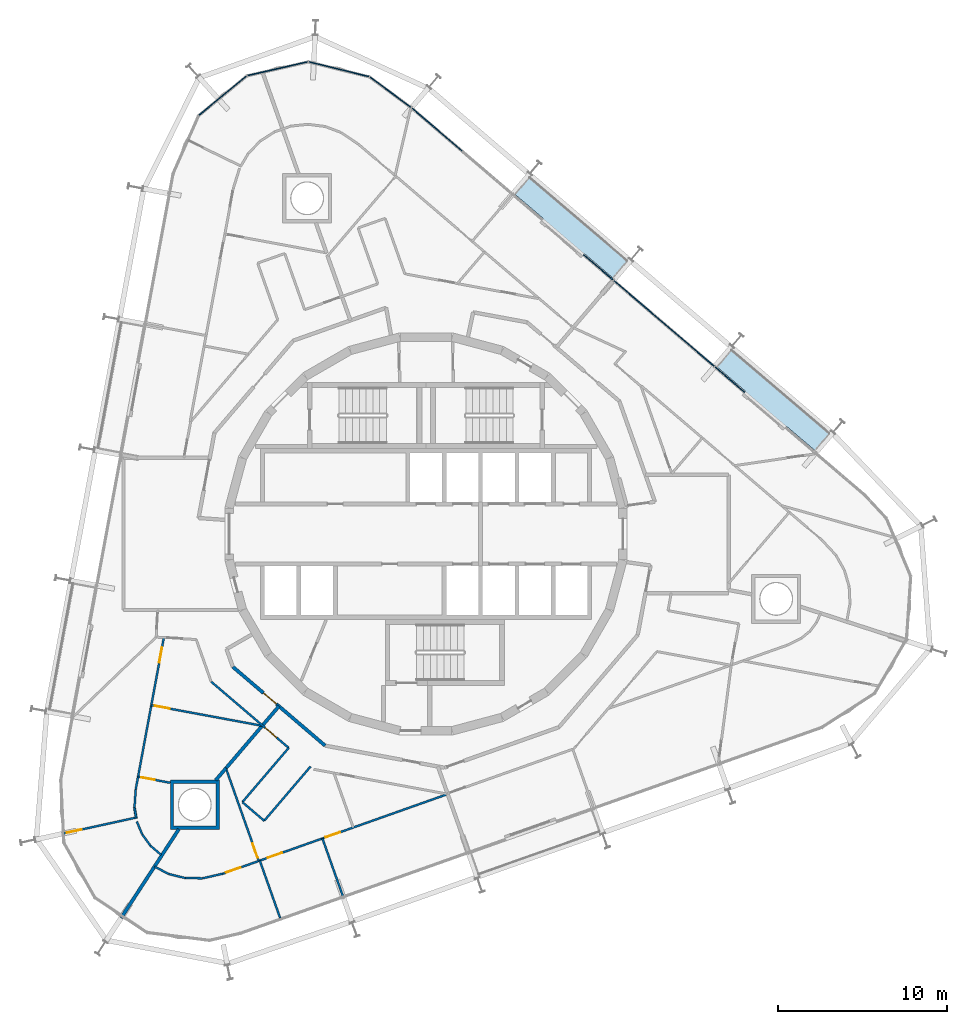
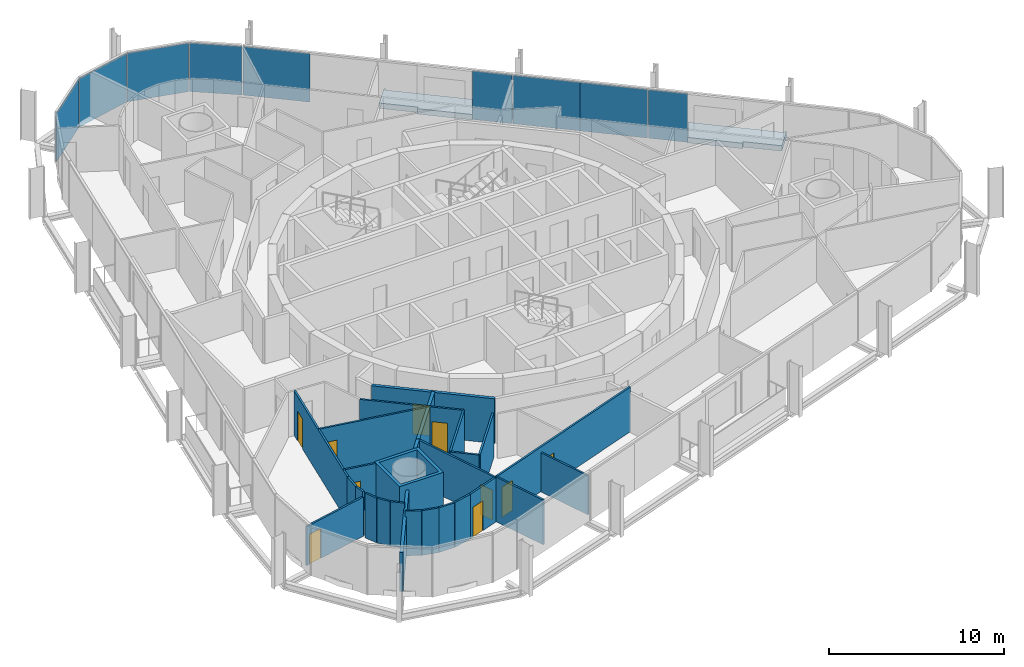
# One storey, part 10 of 17: 26 walls, 10 doors, 9 plates, 2 slabs, 10 openings, 2 elements without a shape of their own.
"""IFC4 building model written with IfcOpenShell, lengths in metres."""

import ifcopenshell
import ifcopenshell.guid

model = None  # the IFC model being written
_history = None  # IfcOwnerHistory: only IFC2X3 demands one
_inside = {}  # id of a spatial element -> (the spatial element, [elements in it])
_under = {}  # id of a project, library or spatial element -> (it, [spatial elements below it])
_declared = {}  # id of a project -> (the project, [libraries it declares])
_typed = {}  # id of a type object -> (the type object, [elements of that type])
_made_of = {}  # id of a material, layer set ... -> (it, [elements and type objects made of it])


def new_model(schema):
    """Start an empty IFC model of exactly this schema.

    Asked for "IFC4X3", IfcOpenShell would pick the latest addendum, in which some entities
    have other attributes; the version numbers below select the first issue.
    IFC2X3 requires an IfcOwnerHistory on every rooted entity: one is made here for all.
    """
    global model, _history
    if schema == "IFC4X3":
        model = ifcopenshell.file(schema_version=(4, 3, 0, 0))
    else:
        model = ifcopenshell.file(schema=schema)
    _inside.clear()
    _under.clear()
    _declared.clear()
    _typed.clear()
    _made_of.clear()
    _history = None
    if model.schema == "IFC2X3":
        org = make("IfcOrganization", Name="unknown")
        user = make(
            "IfcPersonAndOrganization",
            ThePerson=make("IfcPerson", FamilyName="unknown"),
            TheOrganization=org,
        )
        app = make(
            "IfcApplication",
            ApplicationDeveloper=org,
            Version="unknown",
            ApplicationFullName="unknown",
            ApplicationIdentifier="unknown",
        )
        _history = make(
            "IfcOwnerHistory",
            OwningUser=user,
            OwningApplication=app,
            ChangeAction="ADDED",
            CreationDate=0,
        )
    return model


def make(cls, **values):
    """One entity of the class cls with the attributes given. An attribute that is None is left unset."""
    return model.create_entity(
        cls, **{name: value for name, value in values.items() if value is not None}
    )


def rooted(cls, **values):
    """An entity with a GlobalId (a new one), such as an element, a storey or a relation."""
    return make(cls, GlobalId=ifcopenshell.guid.new(), OwnerHistory=_history, **values)


def si_unit(unit_type, name, prefix=None):
    """IfcSIUnit, for example si_unit("LENGTHUNIT", "METRE", prefix="MILLI")."""
    return make("IfcSIUnit", UnitType=unit_type, Prefix=prefix, Name=name)


def assignment(units):
    """IfcUnitAssignment: the units of a project."""
    return None if units is None else make("IfcUnitAssignment", Units=units)


def point(xyz):
    """IfcCartesianPoint."""
    return None if xyz is None else make("IfcCartesianPoint", Coordinates=xyz)


def direction(xyz):
    """IfcDirection."""
    return None if xyz is None else make("IfcDirection", DirectionRatios=xyz)


def frame(location, z_axis=None, x_axis=None):
    """IfcAxis2Placement3D, a coordinate frame: its origin and axes. An axis left out is left unset."""
    return make(
        "IfcAxis2Placement3D",
        Location=point(location),
        Axis=direction(z_axis),
        RefDirection=direction(x_axis),
    )


def frame_2d(location, x_axis=None):
    """IfcAxis2Placement2D, a coordinate frame in the plane: its origin and x axis."""
    return make(
        "IfcAxis2Placement2D", Location=point(location), RefDirection=direction(x_axis)
    )


def origin():
    """The frame at (0, 0, 0) with its axes left unset."""
    return frame((0.0, 0.0, 0.0))


def origin_2d():
    """The frame at (0, 0) in the plane with its x axis left unset."""
    return frame_2d((0.0, 0.0))


def place(relative_to, where):
    """IfcLocalPlacement: puts the frame where relative to a parent placement (None: the world)."""
    return make(
        "IfcLocalPlacement", PlacementRelTo=relative_to, RelativePlacement=where
    )


def context(
    kind, dimensions, precision=None, world=None, true_north=None, identifier=None
):
    """IfcGeometricRepresentationContext, for example the 3D "Model" context."""
    return make(
        "IfcGeometricRepresentationContext",
        ContextIdentifier=identifier,
        ContextType=kind,
        CoordinateSpaceDimension=dimensions,
        Precision=precision,
        WorldCoordinateSystem=world,
        TrueNorth=true_north,
    )


def subcontext(parent, identifier, kind, view, scale=None):
    """IfcGeometricRepresentationSubContext, for example "Body" below "Model"."""
    return make(
        "IfcGeometricRepresentationSubContext",
        ContextIdentifier=identifier,
        ContextType=kind,
        ParentContext=parent,
        TargetScale=scale,
        TargetView=view,
    )


def project(units=None, contexts=None):
    """IfcProject with its units and contexts."""
    return rooted(
        "IfcProject",
        Name="project",
        RepresentationContexts=contexts,
        UnitsInContext=assignment(units),
    )


def spatial(cls, under=None, at=None, **own):
    """A site, building, storey or space (cls), placed at a placement, below another one or the project."""
    s = rooted(cls, ObjectPlacement=at, **own)
    if under is not None:
        _under.setdefault(under.id(), (under, []))[1].append(s)
    return s


def polyline(points):
    """IfcPolyline through the points."""
    return make("IfcPolyline", Points=[point(p) for p in points])


def profile(cls, at=None, kind="AREA", **sizes):
    """A parametric profile (cls). Its sizes go by their IFC names, for example OverallWidth=200.0."""
    return make(cls, ProfileType=kind, Position=at, **sizes)


def rectangle(**sizes):
    """IfcRectangleProfileDef."""
    return profile("IfcRectangleProfileDef", **sizes)


def outline(outer, holes=None, kind="AREA"):
    """IfcArbitraryClosedProfileDef: a profile drawn as a closed curve; with holes, ...WithVoids."""
    if holes is None:
        return make("IfcArbitraryClosedProfileDef", ProfileType=kind, OuterCurve=outer)
    return make(
        "IfcArbitraryProfileDefWithVoids",
        ProfileType=kind,
        OuterCurve=outer,
        InnerCurves=holes,
    )


def extrude(swept, where, along, depth):
    """IfcExtrudedAreaSolid: the profile swept, set in the frame where, extruded along a direction by depth."""
    return make(
        "IfcExtrudedAreaSolid",
        SweptArea=swept,
        Position=where,
        ExtrudedDirection=direction(along),
        Depth=depth,
    )


def shape(context_of_items, identifier, shape_type, items):
    """IfcShapeRepresentation: the items that make up one representation, for example the "Body"."""
    return make(
        "IfcShapeRepresentation",
        ContextOfItems=context_of_items,
        RepresentationIdentifier=identifier,
        RepresentationType=shape_type,
        Items=items,
    )


def material(Name=None, Category=None):
    """IfcMaterial."""
    return make("IfcMaterial", Name=Name, Category=Category)


def layer(
    of_material, thickness, ventilated=None, Name=None, Category=None, Priority=None
):
    """IfcMaterialLayer: one layer of a wall or slab, of a material (None: an air gap)."""
    return make(
        "IfcMaterialLayer",
        Material=of_material,
        LayerThickness=thickness,
        IsVentilated=ventilated,
        Name=Name,
        Category=Category,
        Priority=Priority,
    )


def layer_set(layers, Name=None):
    """IfcMaterialLayerSet."""
    return make("IfcMaterialLayerSet", MaterialLayers=layers, LayerSetName=Name)


def made_of(thing, what):
    """Note that an element or type object is made of a material, layer set ...; save() writes the relation."""
    if what is not None:
        _made_of.setdefault(what.id(), (what, []))[1].append(thing)
    return thing


def type_object(cls, material=None, **own):
    """A type object (cls), such as IfcWallType, which elements share."""
    return made_of(rooted(cls, **own), material)


def element(
    cls,
    number,
    at=None,
    inside=None,
    cuts=None,
    type_object=None,
    material=None,
    context=None,
    identifier="Body",
    shape_type=None,
    held_by="IfcProductDefinitionShape",
    body=None,
    shapes=None,
    **own,
):
    """One element of the class cls, such as IfcWall. Its Tag is "e" and its number.

    at: its placement. inside: the storey or other place that contains it. cuts: it is an
    opening in that element (IfcRelVoidsElement). A single representation is given by context,
    identifier, shape_type and body (its items); several are given by shapes. held_by: the class
    of the entity that holds the representations. save() writes the other relations.
    """
    e = rooted(cls, Tag="e%d" % number, ObjectPlacement=at, **own)
    if body is not None:
        shapes = [shape(context, identifier, shape_type, body)]
    if shapes is not None:
        e.Representation = make(held_by, Representations=shapes)
    if inside is not None:
        _inside.setdefault(inside.id(), (inside, []))[1].append(e)
    if cuts is not None:
        rooted(
            "IfcRelVoidsElement", RelatingBuildingElement=cuts, RelatedOpeningElement=e
        )
    if type_object is not None:
        _typed.setdefault(type_object.id(), (type_object, []))[1].append(e)
    return made_of(e, material)


def fill(opening, filler):
    """IfcRelFillsElement: the door or window that sits in an opening."""
    return rooted(
        "IfcRelFillsElement",
        RelatingOpeningElement=opening,
        RelatedBuildingElement=filler,
    )


def aggregate(whole, parts):
    """IfcRelAggregates: a whole, such as a stair, and the parts it consists of."""
    return rooted("IfcRelAggregates", RelatingObject=whole, RelatedObjects=parts)


def save(model, path):
    """Write the relations noted so far, then the file.

    IfcRelAggregates (storeys below a building ...), IfcRelContainedInSpatialStructure (elements
    in a storey), IfcRelDefinesByType, IfcRelAssociatesMaterial and IfcRelDeclares: one each for
    every whole, place, type object, material and project.
    """
    for whole, parts in _under.values():
        aggregate(whole, parts)
    for where, things in _inside.values():
        rooted(
            "IfcRelContainedInSpatialStructure",
            RelatedElements=things,
            RelatingStructure=where,
        )
    for kind, things in _typed.values():
        rooted("IfcRelDefinesByType", RelatedObjects=things, RelatingType=kind)
    for what, things in _made_of.values():
        rooted("IfcRelAssociatesMaterial", RelatedObjects=things, RelatingMaterial=what)
    for by, libraries in _declared.values():
        rooted("IfcRelDeclares", RelatingContext=by, RelatedDefinitions=libraries)
    model.write(path)


model = new_model("IFC4")

# Units and contexts
model_context = context("Model", 3, precision=1e-05, world=origin(), true_north=direction((0.0, 1.0)))
body_context = subcontext(model_context, "Body", "Model", "MODEL_VIEW")
ifc_project = project(units=[si_unit("LENGTHUNIT", "METRE"), si_unit("AREAUNIT", "SQUARE_METRE"), si_unit("VOLUMEUNIT", "CUBIC_METRE"), si_unit("PLANEANGLEUNIT", "RADIAN"), si_unit("MASSUNIT", "GRAM", prefix="KILO")], contexts=[model_context])

# Site, building, storey
site_placement = place(None, origin())
site = spatial("IfcSite", under=ifc_project, at=site_placement, CompositionType="ELEMENT")
building_placement = place(site_placement, origin())
building = spatial("IfcBuilding", under=site, at=building_placement, Name="Spindle Arch Residences", CompositionType="ELEMENT")
storey_placement = place(building_placement, frame((0.0, 0.0, 176.199951171875)))
storey = spatial("IfcBuildingStorey", under=building, at=storey_placement, Name="L44", CompositionType="ELEMENT", Elevation=176.199951171875)

# Slabs
ifc_material_1 = material(Name="Concrete C40/50", Category="concrete")
ifc_layer_1 = layer(ifc_material_1, 0.3798828125)
ifc_layer_set_1 = layer_set([ifc_layer_1], Name="Balcony slab 380")
slab_type = type_object("IfcSlabType", Name="Balcony slab 380", PredefinedType="FLOOR", material=ifc_layer_set_1)
slab_1_placement = place(storey_placement, frame((0.0, 0.0, -0.3798828125)))
element("IfcSlab", 1, at=slab_1_placement, inside=storey, type_object=slab_type, Name="Balcony L44 bay 6", PredefinedType="FLOOR", context=body_context, shape_type="SweptSolid", body=[
    extrude(outline(polyline([(24.00830078125, 6.037353515625), (23.951171875, 6.0859375), (23.853759765625, 5.971923828125), (18.105224609375, 10.8818359375), (18.20263671875, 10.995849609375), (18.1455078125, 11.044677734375), (17.177734375, 9.91162109375), (18.892578125, 8.447021484375), (18.78857421875, 8.325439453125), (21.221923828125, 6.2470703125), (21.325927734375, 6.368896484375), (23.04052734375, 4.904296875), (24.00830078125, 6.037353515625)])), origin(), (0.0, 0.0, 1.0), 0.3798828125),
])
slab_2_placement = place(storey_placement, frame((0.0, 0.0, -0.3798828125)))
element("IfcSlab", 2, at=slab_2_placement, inside=storey, type_object=slab_type, Name="Balcony L44 bay 8", PredefinedType="FLOOR", context=body_context, shape_type="SweptSolid", body=[
    extrude(outline(polyline([(12.0546875, 16.246826171875), (11.99755859375, 16.29541015625), (11.900146484375, 16.181396484375), (6.1513671875, 21.09130859375), (6.248779296875, 21.205322265625), (6.19189453125, 21.25390625), (5.22412109375, 20.12109375), (6.93896484375, 18.656494140625), (6.8349609375, 18.534912109375), (9.268310546875, 16.45654296875), (9.3720703125, 16.578369140625), (11.0869140625, 15.11376953125), (12.0546875, 16.246826171875)])), origin(), (0.0, 0.0, 1.0), 0.3798828125),
])

# Curtain wall, plates
ifc_material_2 = material(Name="Aluminium bronze unitised frame with tinted glass", Category="aluminium")
ifc_layer_2 = layer(ifc_material_2, 0.159912109375)
ifc_layer_set_2 = layer_set([ifc_layer_2], Name="CW-C typical residential unitised wall")
curtain_wall_type_1 = type_object("IfcCurtainWallType", Name="CW-C typical residential unitised wall", PredefinedType="NOTDEFINED", material=ifc_layer_set_2)
curtain_wall_1_placement = place(storey_placement, origin())
curtain_wall_1 = element("IfcCurtainWall", 3, at=curtain_wall_1_placement, inside=storey, type_object=curtain_wall_type_1, Name="CW-C L44 run 2", PredefinedType="NOTDEFINED")
ifc_material_3 = material(Name="Tinted double glazing over aluminium faced non-combustible spandrel zone (K0)", Category="aluminium")
ifc_layer_3 = layer(ifc_material_3, 0.06005859375)
ifc_layer_set_3 = layer_set([ifc_layer_3], Name="Unitised glass panel with E 60 spandrel zone")
plate_type = type_object("IfcPlateType", Name="Unitised glass panel with E 60 spandrel zone", PredefinedType="CURTAIN_PANEL", material=ifc_layer_set_3)
plate_1_placement = place(storey_placement, frame((17.966064453125, 9.133056640625, -0.3798828125), z_axis=(0.0, 0.0, 1.0), x_axis=(-0.7604059656, 0.64944804833, 0.0)))
plate_1 = element("IfcPlate", 4, at=plate_1_placement, type_object=plate_type, Name="CW-C unit 05R", PredefinedType="CURTAIN_PANEL", context=body_context, shape_type="SweptSolid", body=[
    extrude(rectangle(XDim=2.300048828125, YDim=0.06005859375, at=origin_2d()), origin(), (0.0, 0.0, 1.0), 3.3798828125),
])
plate_2_placement = place(storey_placement, frame((15.563232421875, 11.185302734375, -0.3798828125), z_axis=(0.0, 0.0, 1.0), x_axis=(-0.7604059656, 0.64944804833, 0.0)))
plate_2 = element("IfcPlate", 5, at=plate_2_placement, type_object=plate_type, Name="CW-C unit 06A", PredefinedType="CURTAIN_PANEL", context=body_context, shape_type="SweptSolid", body=[
    extrude(rectangle(XDim=3.900146484375, YDim=0.06005859375, at=origin_2d()), origin(), (0.0, 0.0, 1.0), 3.3798828125),
])
plate_3_placement = place(storey_placement, frame((12.59765625, 13.71826171875, -0.3798828125), z_axis=(0.0, 0.0, 1.0), x_axis=(-0.7604059656, 0.64944804833, 0.0)))
plate_3 = element("IfcPlate", 6, at=plate_3_placement, type_object=plate_type, Name="CW-C unit 06B", PredefinedType="CURTAIN_PANEL", context=body_context, shape_type="SweptSolid", body=[
    extrude(rectangle(XDim=3.900146484375, YDim=0.06005859375, at=origin_2d()), origin(), (0.0, 0.0, 1.0), 3.3798828125),
])
plate_4_placement = place(storey_placement, frame((10.19482421875, 15.7705078125, -0.3798828125), z_axis=(0.0, 0.0, 1.0), x_axis=(-0.7604059656, 0.64944804833, 0.0)))
plate_4 = element("IfcPlate", 7, at=plate_4_placement, type_object=plate_type, Name="CW-C unit 07L", PredefinedType="CURTAIN_PANEL", context=body_context, shape_type="SweptSolid", body=[
    extrude(rectangle(XDim=2.300048828125, YDim=0.06005859375, at=origin_2d()), origin(), (0.0, 0.0, 1.0), 3.3798828125),
])
plate_5_placement = place(storey_placement, frame((0.643798828125, 23.927734375, -0.3798828125), z_axis=(0.0, 0.0, 1.0), x_axis=(-0.7604059656, 0.64944804833, 0.0)))
plate_5 = element("IfcPlate", 8, at=plate_5_placement, type_object=plate_type, Name="CW-C unit 08B", PredefinedType="CURTAIN_PANEL", context=body_context, shape_type="SweptSolid", body=[
    extrude(rectangle(XDim=3.900146484375, YDim=0.06005859375, at=origin_2d()), origin(), (0.0, 0.0, 1.0), 3.3798828125),
])
aggregate(curtain_wall_1, [plate_1, plate_2, plate_3, plate_4, plate_5])

ifc_material_4 = material(Name="Aluminium bronze unitised frame with tinted glass", Category="aluminium")
ifc_layer_4 = layer(ifc_material_4, 0.159912109375)
ifc_layer_set_4 = layer_set([ifc_layer_4], Name="CW-D corner wall on the fillet arcs")
curtain_wall_type_2 = type_object("IfcCurtainWallType", Name="CW-D corner wall on the fillet arcs", PredefinedType="NOTDEFINED", material=ifc_layer_set_4)
curtain_wall_2_placement = place(storey_placement, origin())
curtain_wall_2 = element("IfcCurtainWall", 9, at=curtain_wall_2_placement, inside=storey, type_object=curtain_wall_type_2, Name="CW-D L44 run 3", PredefinedType="NOTDEFINED")
plate_6_placement = place(storey_placement, frame((-2.102294921875, 26.1298828125, -0.3798828125), z_axis=(0.0, 0.0, 1.0), x_axis=(-0.804365716131, 0.594134492109, 0.0)))
plate_6 = element("IfcPlate", 10, at=plate_6_placement, type_object=plate_type, Name="CW-D unit 00", PredefinedType="CURTAIN_PANEL", context=body_context, shape_type="SweptSolid", body=[
    extrude(rectangle(XDim=3.0244140625, YDim=0.06005859375, at=origin_2d()), origin(), (0.0, 0.0, 1.0), 3.3798828125),
])
plate_7_placement = place(storey_placement, frame((-5.152099609375, 27.49169921875, -0.3798828125), z_axis=(0.0, 0.0, 1.0), x_axis=(-0.970995342056, 0.239098401721, 0.0)))
plate_7 = element("IfcPlate", 11, at=plate_7_placement, type_object=plate_type, Name="CW-D unit 01", PredefinedType="CURTAIN_PANEL", context=body_context, shape_type="SweptSolid", body=[
    extrude(rectangle(XDim=3.666748046875, YDim=0.06005859375, at=origin_2d()), origin(), (0.0, 0.0, 1.0), 3.3798828125),
])
plate_8_placement = place(storey_placement, frame((-8.7783203125, 27.5234375, -0.3798828125), z_axis=(0.0, 0.0, 1.0), x_axis=(-0.975020297449, -0.222115779633, 0.0)))
plate_8 = element("IfcPlate", 12, at=plate_8_placement, type_object=plate_type, Name="CW-D unit 02", PredefinedType="CURTAIN_PANEL", context=body_context, shape_type="SweptSolid", body=[
    extrude(rectangle(XDim=3.666748046875, YDim=0.06005859375, at=origin_2d()), origin(), (0.0, 0.0, 1.0), 3.3798828125),
])
plate_9_placement = place(storey_placement, frame((-12.032958984375, 25.92431640625, -0.3798828125), z_axis=(0.0, 0.0, 1.0), x_axis=(-0.771624583032, -0.636078220709, 0.0)))
plate_9 = element("IfcPlate", 13, at=plate_9_placement, type_object=plate_type, Name="CW-D unit 03", PredefinedType="CURTAIN_PANEL", context=body_context, shape_type="SweptSolid", body=[
    extrude(rectangle(XDim=3.666748046875, YDim=0.06005859375, at=origin_2d()), origin(), (0.0, 0.0, 1.0), 3.3798828125),
])
aggregate(curtain_wall_2, [plate_6, plate_7, plate_8, plate_9])

# Wall, opening, door
ifc_material_5 = material(Name="Calcium silicate block, plastered")
ifc_layer_5 = layer(ifc_material_5, 0.199951171875)
ifc_layer_set_5 = layer_set([ifc_layer_5], Name="Corridor wall 200")
wall_type_1 = type_object("IfcWallType", Name="Corridor wall 200", PredefinedType="STANDARD", material=ifc_layer_set_5)
wall_1_placement = place(storey_placement, frame((-11.432861328125, -7.857666015625, 0.0), z_axis=(0.0, 0.0, 1.0), x_axis=(0.760412154545, -0.649440801937, 0.0)))
wall_1 = element("IfcWall", 14, at=wall_1_placement, inside=storey, type_object=wall_type_1, Name="Corridor wall R4C1-W016", PredefinedType="STANDARD", context=body_context, shape_type="SweptSolid", body=[
    extrude(rectangle(XDim=7.180908203125, YDim=0.199951171875, at=frame_2d((3.59033203125, 0.0))), origin(), (0.0, 0.0, 1.0), 3.1201171875),
])
opening_1_placement = place(wall_1_placement, frame((2.390380859375, 0.0, 0.0)))
opening_1 = element("IfcOpeningElement", 15, at=opening_1_placement, cuts=wall_1, Name="Opening R4C1-FD04", PredefinedType="OPENING", context=body_context, shape_type="SweptSolid", body=[
    extrude(rectangle(XDim=1.0, YDim=2.10009765625, at=frame_2d((0.5, 1.050048828125))), frame((0.0, 0.10986328125, 0.0), z_axis=(0.0, -1.0, 0.0), x_axis=(1.0, 0.0, 0.0)), (0.0, 0.0, 1.0), 0.219970703125),
])
ifc_material_6 = material(Name="Timber, fire-resisting door set", Category="wood")
door_type_1 = type_object("IfcDoorType", Name="Flat entrance door 1000x2100", OperationType="NOTDEFINED", PredefinedType="DOOR", material=ifc_material_6)
door_1_placement = place(opening_1_placement, origin())
door_1 = element("IfcDoor", 16, at=door_1_placement, inside=storey, type_object=door_type_1, Name="Flat entrance door R4C1-FD04", OperationType="SINGLE_SWING_RIGHT", OverallHeight=2.10009765625, OverallWidth=1.0, PredefinedType="DOOR", context=body_context, shape_type="SweptSolid", body=[
    extrude(rectangle(XDim=1.0, YDim=2.10009765625, at=frame_2d((0.5, 1.050048828125))), frame((0.0, 0.02490234375, 0.0), z_axis=(0.0, -1.0, 0.0), x_axis=(1.0, 0.0, 0.0)), (0.0, 0.0, 1.0), 0.050048828125),
])
fill(opening_1, door_1)

ifc_material_7 = material(Name="Plasterboard on steel studs", Category="steel")
ifc_layer_6 = layer(ifc_material_7, 0.1201171875)
ifc_layer_set_6 = layer_set([ifc_layer_6], Name="Flat partition 120")
wall_type_2 = type_object("IfcWallType", Name="Flat partition 120", PredefinedType="PARTITIONING", material=ifc_layer_set_6)
wall_2_placement = place(storey_placement, frame((-12.712646484375, -8.7373046875, 0.0), z_axis=(0.0, 0.0, 1.0), x_axis=(0.760432387723, -0.649417110725, 0.0)))
wall_2 = element("IfcWall", 17, at=wall_2_placement, inside=storey, type_object=wall_type_2, Name="Flat partition R4C1-W085", PredefinedType="PARTITIONING", context=body_context, shape_type="SweptSolid", body=[
    extrude(rectangle(XDim=6.0322265625, YDim=0.1201171875, at=frame_2d((3.01611328125, 0.0))), origin(), (0.0, 0.0, 1.0), 3.1201171875),
])
opening_2_placement = place(wall_2_placement, frame((4.1923828125, 0.0, 0.0)))
opening_2 = element("IfcOpeningElement", 18, at=opening_2_placement, cuts=wall_2, Name="Opening R4C1-ID22", PredefinedType="OPENING", context=body_context, shape_type="SweptSolid", body=[
    extrude(rectangle(XDim=0.89990234375, YDim=2.10009765625, at=frame_2d((0.449951171875, 1.050048828125))), frame((0.0, 0.070068359375, 0.0), z_axis=(0.0, -1.0, 0.0), x_axis=(1.0, 0.0, 0.0)), (0.0, 0.0, 1.0), 0.14013671875),
])
ifc_material_8 = material(Name="Timber door set", Category="wood")
door_type_2 = type_object("IfcDoorType", Name="Room door 900x2100", OperationType="NOTDEFINED", PredefinedType="DOOR", material=ifc_material_8)
door_2_placement = place(opening_2_placement, origin())
door_2 = element("IfcDoor", 19, at=door_2_placement, inside=storey, type_object=door_type_2, Name="Room door R4C1-ID22", OperationType="SINGLE_SWING_LEFT", OverallHeight=2.10009765625, OverallWidth=0.89990234375, PredefinedType="DOOR", context=body_context, shape_type="SweptSolid", body=[
    extrude(rectangle(XDim=0.89990234375, YDim=2.10009765625, at=frame_2d((0.449951171875, 1.050048828125))), frame((0.0, 0.02490234375, 0.0), z_axis=(0.0, -1.0, 0.0), x_axis=(1.0, 0.0, 0.0)), (0.0, 0.0, 1.0), 0.050048828125),
])
fill(opening_2, door_2)

wall_3_placement = place(storey_placement, frame((-15.509765625, -6.1298828125, 0.0), z_axis=(0.0, 0.0, 1.0), x_axis=(-0.182243361628, -0.98325345519, 0.0)))
wall_3 = element("IfcWall", 20, at=wall_3_placement, inside=storey, type_object=wall_type_2, Name="Flat partition R4C1-W087", PredefinedType="PARTITIONING", context=body_context, shape_type="SweptSolid", body=[
    extrude(rectangle(XDim=9.1337890625, YDim=0.1201171875, at=frame_2d((4.56689453125, 0.0))), origin(), (0.0, 0.0, 1.0), 3.1201171875),
])
opening_3_placement = place(wall_3_placement, frame((0.60009765625, 0.0, 0.0)))
opening_3 = element("IfcOpeningElement", 21, at=opening_3_placement, cuts=wall_3, Name="Opening R4C1-ID19", PredefinedType="OPENING", context=body_context, shape_type="SweptSolid", body=[
    extrude(rectangle(XDim=0.89990234375, YDim=2.10009765625, at=frame_2d((0.449951171875, 1.050048828125))), frame((0.0, 0.070068359375, 0.0), z_axis=(0.0, -1.0, 0.0), x_axis=(1.0, 0.0, 0.0)), (0.0, 0.0, 1.0), 0.14013671875),
])
door_3_placement = place(opening_3_placement, origin())
door_3 = element("IfcDoor", 22, at=door_3_placement, inside=storey, type_object=door_type_2, Name="Room door R4C1-ID19", OperationType="SINGLE_SWING_RIGHT", OverallHeight=2.10009765625, OverallWidth=0.89990234375, PredefinedType="DOOR", context=body_context, shape_type="SweptSolid", body=[
    extrude(rectangle(XDim=0.89990234375, YDim=2.10009765625, at=frame_2d((0.449951171875, 1.050048828125))), frame((0.0, 0.02490234375, 0.0), z_axis=(0.0, -1.0, 0.0), x_axis=(1.0, 0.0, 0.0)), (0.0, 0.0, 1.0), 0.050048828125),
])
fill(opening_3, door_3)

wall_4_placement = place(storey_placement, frame((-16.251708984375, -10.133056640625, 0.0), z_axis=(0.0, 0.0, 1.0), x_axis=(0.983256998026, -0.182224246005, 0.0)))
wall_4 = element("IfcWall", 23, at=wall_4_placement, inside=storey, type_object=wall_type_2, Name="Flat partition R4C1-W088", PredefinedType="PARTITIONING", context=body_context, shape_type="SweptSolid", body=[
    extrude(rectangle(XDim=6.670654296875, YDim=0.1201171875, at=frame_2d((3.33544921875, 0.0))), origin(), (0.0, 0.0, 1.0), 3.1201171875),
])
opening_4_placement = place(wall_4_placement, frame((0.199951171875, 0.0, 0.0)))
opening_4 = element("IfcOpeningElement", 24, at=opening_4_placement, cuts=wall_4, Name="Opening R4C1-ID20", PredefinedType="OPENING", context=body_context, shape_type="SweptSolid", body=[
    extrude(rectangle(XDim=0.89990234375, YDim=2.10009765625, at=frame_2d((0.449951171875, 1.050048828125))), frame((0.0, 0.070068359375, 0.0), z_axis=(0.0, -1.0, 0.0), x_axis=(1.0, 0.0, 0.0)), (0.0, 0.0, 1.0), 0.14013671875),
])
door_4_placement = place(opening_4_placement, origin())
door_4 = element("IfcDoor", 25, at=door_4_placement, inside=storey, type_object=door_type_2, Name="Room door R4C1-ID20", OperationType="SINGLE_SWING_RIGHT", OverallHeight=2.10009765625, OverallWidth=0.89990234375, PredefinedType="DOOR", context=body_context, shape_type="SweptSolid", body=[
    extrude(rectangle(XDim=0.89990234375, YDim=2.10009765625, at=frame_2d((0.449951171875, 1.050048828125))), frame((0.0, 0.02490234375, 0.0), z_axis=(0.0, -1.0, 0.0), x_axis=(1.0, 0.0, 0.0)), (0.0, 0.0, 1.0), 0.050048828125),
])
fill(opening_4, door_4)

# Walls
wall_5_placement = place(storey_placement, frame((-17.142822265625, -16.81689453125, 0.0), z_axis=(0.0, 0.0, 1.0), x_axis=(-0.164964120994, 0.98629956848, 0.0)))
element("IfcWall", 26, at=wall_5_placement, inside=storey, type_object=wall_type_2, Name="Flat partition R4C1-W089", PredefinedType="PARTITIONING", context=body_context, shape_type="SweptSolid", body=[
    extrude(rectangle(XDim=0.63037109375, YDim=0.1201171875, at=frame_2d((0.315185546875, 0.0))), origin(), (0.0, 0.0, 1.0), 3.1201171875),
])
wall_6_placement = place(storey_placement, frame((-17.246826171875, -16.195068359375, 0.0), z_axis=(0.0, 0.0, 1.0), x_axis=(0.066712820538, 0.997772218282, 0.0)))
element("IfcWall", 27, at=wall_6_placement, inside=storey, type_object=wall_type_2, Name="Flat partition R4C1-W090", PredefinedType="PARTITIONING", context=body_context, shape_type="SweptSolid", body=[
    extrude(rectangle(XDim=1.0869140625, YDim=0.1201171875, at=frame_2d((0.54345703125, 0.0))), origin(), (0.0, 0.0, 1.0), 3.1201171875),
])

# Wall, opening, door
wall_7_placement = place(storey_placement, frame((-17.0361328125, -14.3662109375, 0.0), z_axis=(0.0, 0.0, 1.0), x_axis=(0.983259435886, -0.182211091156, 0.0)))
wall_7 = element("IfcWall", 28, at=wall_7_placement, inside=storey, type_object=wall_type_2, Name="Flat partition R4C1-W092", PredefinedType="PARTITIONING", context=body_context, shape_type="SweptSolid", body=[
    extrude(rectangle(XDim=1.9375, YDim=0.1201171875, at=frame_2d((0.96875, 0.0))), origin(), (0.0, 0.0, 1.0), 3.1201171875),
])
opening_5_placement = place(wall_7_placement, frame((0.199951171875, 0.0, 0.0)))
opening_5 = element("IfcOpeningElement", 29, at=opening_5_placement, cuts=wall_7, Name="Opening R4C1-BD04", PredefinedType="OPENING", context=body_context, shape_type="SweptSolid", body=[
    extrude(rectangle(XDim=0.800048828125, YDim=2.10009765625, at=frame_2d((0.39990234375, 1.050048828125))), frame((0.0, 0.070068359375, 0.0), z_axis=(0.0, -1.0, 0.0), x_axis=(1.0, 0.0, 0.0)), (0.0, 0.0, 1.0), 0.14013671875),
])
ifc_material_9 = material(Name="Timber door set", Category="wood")
door_type_3 = type_object("IfcDoorType", Name="Bathroom door 800x2100", OperationType="NOTDEFINED", PredefinedType="DOOR", material=ifc_material_9)
door_5_placement = place(opening_5_placement, origin())
door_5 = element("IfcDoor", 30, at=door_5_placement, inside=storey, type_object=door_type_3, Name="Bathroom door R4C1-BD04", OperationType="SINGLE_SWING_RIGHT", OverallHeight=2.10009765625, OverallWidth=0.800048828125, PredefinedType="DOOR", context=body_context, shape_type="SweptSolid", body=[
    extrude(rectangle(XDim=0.800048828125, YDim=2.10009765625, at=frame_2d((0.39990234375, 1.050048828125))), frame((0.0, 0.02490234375, 0.0), z_axis=(0.0, -1.0, 0.0), x_axis=(1.0, 0.0, 0.0)), (0.0, 0.0, 1.0), 0.050048828125),
])
fill(opening_5, door_5)

# Walls
for number, where, z_axis, x_axis, name in (
    (31, (-17.110107421875, -17.0126953125, 0.0), (0.0, 0.0, 1.0), (0.388188667698, -0.921579925059, 0.0), "Flat partition R4C1-W093"),
    (32, (-16.788330078125, -17.776611328125, 0.0), (0.0, 0.0, 1.0), (0.590009203945, -0.807396519227, 0.0), "Flat partition R4C1-W094"),
    (33, (-16.29931640625, -18.44580078125, 0.0), (0.0, 0.0, 1.0), (0.760440337536, -0.649407801807, 0.0), "Flat partition R4C1-W095"),
):
    element("IfcWall", number, at=place(storey_placement, frame(where, z_axis=z_axis, x_axis=x_axis)), inside=storey, type_object=wall_type_2, Name=name, PredefinedType="PARTITIONING", context=body_context, shape_type="SweptSolid", body=[
        extrude(rectangle(XDim=0.828857421875, YDim=0.1201171875, at=frame_2d((0.41455078125, 0.0))), origin(), (0.0, 0.0, 1.0), 3.1201171875),
    ])
wall_8_placement = place(storey_placement, frame((-8.12548828125, -12.65478515625, 0.0), z_axis=(0.0, 0.0, 1.0), x_axis=(-0.649441944702, -0.760411178549, 0.0)))
element("IfcWall", 34, at=wall_8_placement, inside=storey, type_object=wall_type_2, Name="Flat partition R4C1-W096", PredefinedType="PARTITIONING", context=body_context, shape_type="SweptSolid", body=[
    extrude(rectangle(XDim=4.2197265625, YDim=0.1201171875, at=frame_2d((2.10986328125, 0.0))), origin(), (0.0, 0.0, 1.0), 3.1201171875),
])
wall_9_placement = place(storey_placement, frame((-10.865966796875, -15.863525390625, 0.0), z_axis=(0.0, 0.0, 1.0), x_axis=(0.760431300628, -0.649418383652, 0.0)))
element("IfcWall", 35, at=wall_9_placement, inside=storey, type_object=wall_type_2, Name="Flat partition R4C1-W097", PredefinedType="PARTITIONING", context=body_context, shape_type="SweptSolid", body=[
    extrude(rectangle(XDim=1.699951171875, YDim=0.1201171875, at=frame_2d((0.85009765625, 0.0))), origin(), (0.0, 0.0, 1.0), 3.1201171875),
])
wall_10_placement = place(storey_placement, frame((-9.5732421875, -16.967529296875, 0.0), z_axis=(0.0, 0.0, 1.0), x_axis=(0.649437062208, 0.760415348498, 0.0)))
element("IfcWall", 36, at=wall_10_placement, inside=storey, type_object=wall_type_2, Name="Flat partition R4C1-W098", PredefinedType="PARTITIONING", context=body_context, shape_type="SweptSolid", body=[
    extrude(rectangle(XDim=4.219482421875, YDim=0.1201171875, at=frame_2d((2.10986328125, 0.0))), origin(), (0.0, 0.0, 1.0), 3.1201171875),
])
wall_11_placement = place(storey_placement, frame((-16.065185546875, -19.679931640625, 0.0), z_axis=(0.0, 0.0, 1.0), x_axis=(0.889684645268, -0.456575549033, 0.0)))
element("IfcWall", 37, at=wall_11_placement, inside=storey, type_object=wall_type_2, Name="Flat partition R4C1-W100", PredefinedType="PARTITIONING", context=body_context, shape_type="SweptSolid", body=[
    extrude(rectangle(XDim=0.95703125, YDim=0.1201171875, at=frame_2d((0.478515625, 0.0))), origin(), (0.0, 0.0, 1.0), 3.1201171875),
])
wall_12_placement = place(storey_placement, frame((-15.213623046875, -20.116943359375, 0.0), z_axis=(0.0, 0.0, 1.0), x_axis=(0.970998575146, -0.239085271534, 0.0)))
element("IfcWall", 38, at=wall_12_placement, inside=storey, type_object=wall_type_2, Name="Flat partition R4C1-W101", PredefinedType="PARTITIONING", context=body_context, shape_type="SweptSolid", body=[
    extrude(rectangle(XDim=1.01611328125, YDim=0.1201171875, at=frame_2d((0.508056640625, 0.0))), origin(), (0.0, 0.0, 1.0), 3.1201171875),
])
wall_13_placement = place(storey_placement, frame((-14.22705078125, -20.35986328125, 0.0), z_axis=(0.0, 0.0, 1.0), x_axis=(0.999960467683, -0.008891741722, 0.0)))
element("IfcWall", 39, at=wall_13_placement, inside=storey, type_object=wall_type_2, Name="Flat partition R4C1-W102", PredefinedType="PARTITIONING", context=body_context, shape_type="SweptSolid", body=[
    extrude(rectangle(XDim=1.015869140625, YDim=0.1201171875, at=frame_2d((0.5078125, 0.0))), origin(), (0.0, 0.0, 1.0), 3.1201171875),
])
wall_14_placement = place(storey_placement, frame((-13.211181640625, -20.368896484375, 0.0), z_axis=(0.0, 0.0, 1.0), x_axis=(0.974997834831, 0.222214360642, 0.0)))
element("IfcWall", 40, at=wall_14_placement, inside=storey, type_object=wall_type_2, Name="Flat partition R4C1-W103", PredefinedType="PARTITIONING", context=body_context, shape_type="SweptSolid", body=[
    extrude(rectangle(XDim=1.227294921875, YDim=0.1201171875, at=frame_2d((0.61376953125, 0.0))), origin(), (0.0, 0.0, 1.0), 3.1201171875),
])

# Wall, openings, doors
wall_15_placement = place(storey_placement, frame((-12.0146484375, -20.09619140625, 0.0), z_axis=(0.0, 0.0, 1.0), x_axis=(0.942638913957, 0.33381413675, 0.0)))
wall_15 = element("IfcWall", 41, at=wall_15_placement, inside=storey, type_object=wall_type_2, Name="Flat partition R4C1-W104", PredefinedType="PARTITIONING", context=body_context, shape_type="SweptSolid", body=[
    extrude(rectangle(XDim=14.103759765625, YDim=0.1201171875, at=frame_2d((7.0517578125, 0.0))), origin(), (0.0, 0.0, 1.0), 3.1201171875),
])
opening_6_placement = place(wall_15_placement, frame((2.813720703125, 0.0, 0.0)))
opening_6 = element("IfcOpeningElement", 42, at=opening_6_placement, cuts=wall_15, Name="Opening R4C1-ID24", PredefinedType="OPENING", context=body_context, shape_type="SweptSolid", body=[
    extrude(rectangle(XDim=0.89990234375, YDim=2.10009765625, at=frame_2d((0.449951171875, 1.050048828125))), frame((0.0, 0.070068359375, 0.0), z_axis=(0.0, -1.0, 0.0), x_axis=(1.0, 0.0, 0.0)), (0.0, 0.0, 1.0), 0.14013671875),
])
opening_7_placement = place(wall_15_placement, frame((6.443603515625, 0.0, 0.0)))
opening_7 = element("IfcOpeningElement", 43, at=opening_7_placement, cuts=wall_15, Name="Opening R4C1-ID25", PredefinedType="OPENING", context=body_context, shape_type="SweptSolid", body=[
    extrude(rectangle(XDim=0.89990234375, YDim=2.10009765625, at=frame_2d((0.449951171875, 1.050048828125))), frame((0.0, 0.070068359375, 0.0), z_axis=(0.0, -1.0, 0.0), x_axis=(1.0, 0.0, 0.0)), (0.0, 0.0, 1.0), 0.14013671875),
])
opening_8_placement = place(wall_15_placement, frame((0.199951171875, 0.0, 0.0)))
opening_8 = element("IfcOpeningElement", 44, at=opening_8_placement, cuts=wall_15, Name="Opening R4C1-ID26", PredefinedType="OPENING", context=body_context, shape_type="SweptSolid", body=[
    extrude(rectangle(XDim=0.89990234375, YDim=2.10009765625, at=frame_2d((0.449951171875, 1.050048828125))), frame((0.0, 0.070068359375, 0.0), z_axis=(0.0, -1.0, 0.0), x_axis=(1.0, 0.0, 0.0)), (0.0, 0.0, 1.0), 0.14013671875),
])
door_6_placement = place(opening_6_placement, origin())
door_6 = element("IfcDoor", 45, at=door_6_placement, inside=storey, type_object=door_type_2, Name="Room door R4C1-ID24", OperationType="SINGLE_SWING_LEFT", OverallHeight=2.10009765625, OverallWidth=0.89990234375, PredefinedType="DOOR", context=body_context, shape_type="SweptSolid", body=[
    extrude(rectangle(XDim=0.89990234375, YDim=2.10009765625, at=frame_2d((0.449951171875, 1.050048828125))), frame((0.0, 0.02490234375, 0.0), z_axis=(0.0, -1.0, 0.0), x_axis=(1.0, 0.0, 0.0)), (0.0, 0.0, 1.0), 0.050048828125),
])
fill(opening_6, door_6)
door_7_placement = place(opening_7_placement, origin())
door_7 = element("IfcDoor", 46, at=door_7_placement, inside=storey, type_object=door_type_2, Name="Room door R4C1-ID25", OperationType="SINGLE_SWING_LEFT", OverallHeight=2.10009765625, OverallWidth=0.89990234375, PredefinedType="DOOR", context=body_context, shape_type="SweptSolid", body=[
    extrude(rectangle(XDim=0.89990234375, YDim=2.10009765625, at=frame_2d((0.449951171875, 1.050048828125))), frame((0.0, 0.02490234375, 0.0), z_axis=(0.0, -1.0, 0.0), x_axis=(1.0, 0.0, 0.0)), (0.0, 0.0, 1.0), 0.050048828125),
])
fill(opening_7, door_7)
door_8_placement = place(opening_8_placement, origin())
door_8 = element("IfcDoor", 47, at=door_8_placement, inside=storey, type_object=door_type_2, Name="Room door R4C1-ID26", OperationType="SINGLE_SWING_RIGHT", OverallHeight=2.10009765625, OverallWidth=0.89990234375, PredefinedType="DOOR", context=body_context, shape_type="SweptSolid", body=[
    extrude(rectangle(XDim=0.89990234375, YDim=2.10009765625, at=frame_2d((0.449951171875, 1.050048828125))), frame((0.0, 0.02490234375, 0.0), z_axis=(0.0, -1.0, 0.0), x_axis=(1.0, 0.0, 0.0)), (0.0, 0.0, 1.0), 0.050048828125),
])
fill(opening_8, door_8)

# Wall, opening, door
wall_16_placement = place(storey_placement, frame((-9.895263671875, -19.345703125, 0.0), z_axis=(0.0, 0.0, 1.0), x_axis=(-0.333781129158, 0.942650602195, 0.0)))
wall_16 = element("IfcWall", 48, at=wall_16_placement, inside=storey, type_object=wall_type_2, Name="Flat partition R4C1-W105", PredefinedType="PARTITIONING", context=body_context, shape_type="SweptSolid", body=[
    extrude(rectangle(XDim=5.8193359375, YDim=0.1201171875, at=frame_2d((2.90966796875, 0.0))), origin(), (0.0, 0.0, 1.0), 3.1201171875),
])
opening_9_placement = place(wall_16_placement, frame((0.199951171875, 0.0, 0.0)))
opening_9 = element("IfcOpeningElement", 49, at=opening_9_placement, cuts=wall_16, Name="Opening R4C1-ID23", PredefinedType="OPENING", context=body_context, shape_type="SweptSolid", body=[
    extrude(rectangle(XDim=0.89990234375, YDim=2.10009765625, at=frame_2d((0.449951171875, 1.050048828125))), frame((0.0, 0.070068359375, 0.0), z_axis=(0.0, -1.0, 0.0), x_axis=(1.0, 0.0, 0.0)), (0.0, 0.0, 1.0), 0.14013671875),
])
door_9_placement = place(opening_9_placement, origin())
door_9 = element("IfcDoor", 50, at=door_9_placement, inside=storey, type_object=door_type_2, Name="Room door R4C1-ID23", OperationType="SINGLE_SWING_LEFT", OverallHeight=2.10009765625, OverallWidth=0.89990234375, PredefinedType="DOOR", context=body_context, shape_type="SweptSolid", body=[
    extrude(rectangle(XDim=0.89990234375, YDim=2.10009765625, at=frame_2d((0.449951171875, 1.050048828125))), frame((0.0, 0.02490234375, 0.0), z_axis=(0.0, -1.0, 0.0), x_axis=(1.0, 0.0, 0.0)), (0.0, 0.0, 1.0), 0.050048828125),
])
fill(opening_9, door_9)

# Wall
wall_17_placement = place(storey_placement, frame((-8.632080078125, -22.717529296875, 0.0), z_axis=(0.0, 0.0, 1.0), x_axis=(-0.333791905243, 0.942646786445, 0.0)))
element("IfcWall", 51, at=wall_17_placement, inside=storey, type_object=wall_type_2, Name="Flat partition R4C1-W106", PredefinedType="PARTITIONING", context=body_context, shape_type="SweptSolid", body=[
    extrude(rectangle(XDim=3.60009765625, YDim=0.1201171875, at=frame_2d((1.800048828125, 0.0))), origin(), (0.0, 0.0, 1.0), 3.1201171875),
])

# Wall, opening, door
ifc_material_10 = material(Name="Plasterboard on steel studs", Category="steel")
ifc_layer_7 = layer(ifc_material_10, 0.1201171875)
ifc_layer_set_7 = layer_set([ifc_layer_7], Name="Flat partition 120 under beam 2730")
wall_type_3 = type_object("IfcWallType", Name="Flat partition 120 under beam 2730", PredefinedType="PARTITIONING", material=ifc_layer_set_7)
wall_18_placement = place(storey_placement, frame((-21.452880859375, -17.71923828125, 0.0), z_axis=(0.0, 0.0, 1.0), x_axis=(0.976887361549, 0.213754725903, 0.0)))
wall_18 = element("IfcWall", 52, at=wall_18_placement, inside=storey, type_object=wall_type_3, Name="Flat partition R4C1-W091", PredefinedType="PARTITIONING", context=body_context, shape_type="SweptSolid", body=[
    extrude(rectangle(XDim=4.4052734375, YDim=0.1201171875, at=frame_2d((2.20263671875, 0.0))), origin(), (0.0, 0.0, 1.0), 2.72998046875),
])
opening_10_placement = place(wall_18_placement, frame((0.199951171875, 0.0, 0.0)))
opening_10 = element("IfcOpeningElement", 53, at=opening_10_placement, cuts=wall_18, Name="Opening R4C1-ID21", PredefinedType="OPENING", context=body_context, shape_type="SweptSolid", body=[
    extrude(rectangle(XDim=0.89990234375, YDim=2.10009765625, at=frame_2d((0.449951171875, 1.050048828125))), frame((0.0, 0.070068359375, 0.0), z_axis=(0.0, -1.0, 0.0), x_axis=(1.0, 0.0, 0.0)), (0.0, 0.0, 1.0), 0.14013671875),
])
door_10_placement = place(opening_10_placement, origin())
door_10 = element("IfcDoor", 54, at=door_10_placement, inside=storey, type_object=door_type_2, Name="Room door R4C1-ID21", OperationType="SINGLE_SWING_RIGHT", OverallHeight=2.10009765625, OverallWidth=0.89990234375, PredefinedType="DOOR", context=body_context, shape_type="SweptSolid", body=[
    extrude(rectangle(XDim=0.89990234375, YDim=2.10009765625, at=frame_2d((0.449951171875, 1.050048828125))), frame((0.0, 0.02490234375, 0.0), z_axis=(0.0, -1.0, 0.0), x_axis=(1.0, 0.0, 0.0)), (0.0, 0.0, 1.0), 0.050048828125),
])
fill(opening_10, door_10)

# Walls
wall_19_placement = place(storey_placement, frame((-4.927490234375, -21.405517578125, 0.0), z_axis=(0.0, 0.0, 1.0), x_axis=(-0.333813244781, 0.942639229827, 0.0)))
element("IfcWall", 55, at=wall_19_placement, inside=storey, type_object=wall_type_3, Name="Flat partition R4C1-W108", PredefinedType="PARTITIONING", context=body_context, shape_type="SweptSolid", body=[
    extrude(rectangle(XDim=3.599853515625, YDim=0.1201171875, at=frame_2d((1.7998046875, 0.0))), origin(), (0.0, 0.0, 1.0), 2.72998046875),
])
ifc_material_11 = material(Name="Calcium silicate block, plastered")
ifc_layer_8 = layer(ifc_material_11, 0.199951171875)
ifc_layer_set_8 = layer_set([ifc_layer_8], Name="Flat party wall 200")
wall_type_4 = type_object("IfcWallType", Name="Flat party wall 200", PredefinedType="STANDARD", material=ifc_layer_set_8)
wall_20_placement = place(storey_placement, frame((-11.837646484375, -13.860107421875, 0.0), z_axis=(0.0, 0.0, 1.0), x_axis=(0.64944503311, 0.760408540831, 0.0)))
element("IfcWall", 56, at=wall_20_placement, inside=storey, type_object=wall_type_4, Name="Flat party wall R4C1-W033", PredefinedType="STANDARD", context=body_context, shape_type="SweptSolid", body=[
    extrude(rectangle(XDim=4.8271484375, YDim=0.199951171875, at=frame_2d((2.41357421875, 0.0))), origin(), (0.0, 0.0, 1.0), 3.1201171875),
])
wall_21_placement = place(storey_placement, frame((-12.44287109375, -14.568603515625, 0.0), z_axis=(0.0, 0.0, 1.0), x_axis=(0.649517408851, 0.760346720648, 0.0)))
element("IfcWall", 57, at=wall_21_placement, inside=storey, type_object=wall_type_4, Name="Flat party wall R4C1-W034", PredefinedType="STANDARD", context=body_context, shape_type="SweptSolid", body=[
    extrude(rectangle(XDim=0.931884765625, YDim=0.199951171875, at=frame_2d((0.4658203125, 0.0))), origin(), (0.0, 0.0, 1.0), 3.1201171875),
])
ifc_material_12 = material(Name="Calcium silicate block, plastered")
ifc_layer_9 = layer(ifc_material_12, 0.199951171875)
ifc_layer_set_9 = layer_set([ifc_layer_9], Name="Flat party wall 200 under beam 2730")
wall_type_5 = type_object("IfcWallType", Name="Flat party wall 200 under beam 2730", PredefinedType="STANDARD", material=ifc_layer_set_9)
wall_22_placement = place(storey_placement, frame((-18.039794921875, -22.712890625, 0.0), z_axis=(0.0, 0.0, 1.0), x_axis=(0.545628572271, 0.838027124335, 0.0)))
element("IfcWall", 58, at=wall_22_placement, inside=storey, type_object=wall_type_5, Name="Flat party wall R4C1-W035", PredefinedType="STANDARD", context=body_context, shape_type="SweptSolid", body=[
    extrude(rectangle(XDim=6.258056640625, YDim=0.199951171875, at=frame_2d((3.12890625, 0.0))), origin(), (0.0, 0.0, 1.0), 2.72998046875),
])
ifc_material_13 = material(Name="Calcium silicate block, plastered")
ifc_layer_10 = layer(ifc_material_13, 0.199951171875)
ifc_layer_set_10 = layer_set([ifc_layer_10], Name="Mega-column casing wall 200")
wall_type_6 = type_object("IfcWallType", Name="Mega-column casing wall 200", PredefinedType="STANDARD", material=ifc_layer_set_10)
wall_23_placement = place(storey_placement, origin())
element("IfcWall", 59, at=wall_23_placement, inside=storey, type_object=wall_type_6, Name="Mega-column casing wall R4C1-WC02", PredefinedType="STANDARD", context=body_context, shape_type="SweptSolid", body=[
    extrude(outline(polyline([(-12.231201171875, -14.568603515625), (-12.231201171875, -17.468505859375), (-15.131103515625, -17.468505859375), (-15.131103515625, -14.568603515625), (-12.231201171875, -14.568603515625)]), holes=[polyline([(-14.93115234375, -17.2685546875), (-12.43115234375, -17.2685546875), (-12.43115234375, -14.7685546875), (-14.93115234375, -14.7685546875), (-14.93115234375, -17.2685546875)])]), origin(), (0.0, 0.0, 1.0), 3.1201171875),
])

save(model, "model.ifc")
